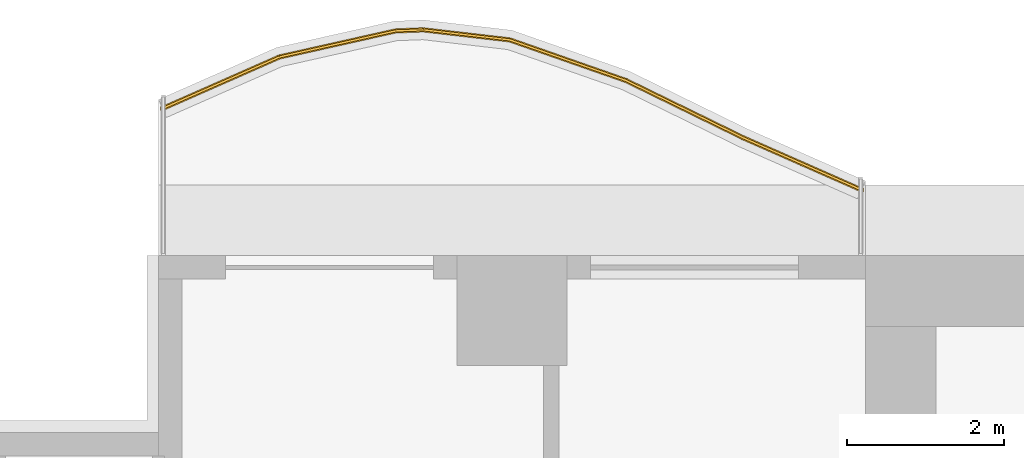
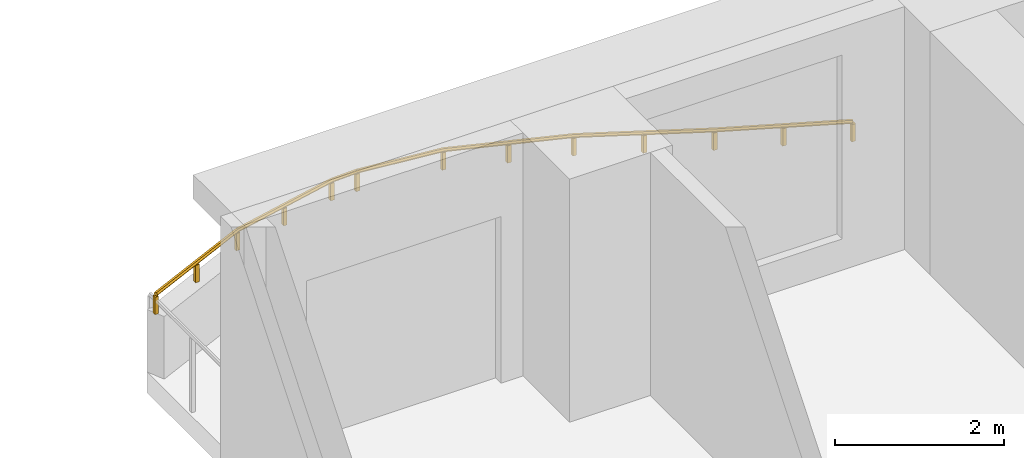
# One storey, part 13 of 14: 1 railing.
"""IFC4 building model written with IfcOpenShell, lengths in metres."""

from ifc_helpers import new_model, si_unit, direction, frame, origin, origin_2d, place, context, subcontext, project, spatial, polyline, rectangle, outline, extrude, material, type_object, element, save


model = new_model("IFC4")

# Units and contexts
model_context = context("Model", 3, precision=1e-05, world=origin(), true_north=direction((0.0, 1.0)))
body_context = subcontext(model_context, "Body", "Model", "MODEL_VIEW")
ifc_project = project(units=[si_unit("LENGTHUNIT", "METRE"), si_unit("AREAUNIT", "SQUARE_METRE"), si_unit("VOLUMEUNIT", "CUBIC_METRE"), si_unit("PLANEANGLEUNIT", "RADIAN"), si_unit("MASSUNIT", "GRAM", prefix="KILO")], contexts=[model_context])

# Site, building, storey
site_placement = place(None, origin())
site = spatial("IfcSite", under=ifc_project, at=site_placement, CompositionType="ELEMENT")
building_placement = place(site_placement, origin())
building = spatial("IfcBuilding", under=site, at=building_placement, Name="Orbiselva Terraces", CompositionType="ELEMENT")
storey_placement = place(building_placement, frame((0.0, 0.0, 41.6)))
storey = spatial("IfcBuildingStorey", under=building, at=storey_placement, Name="L10", CompositionType="ELEMENT", Elevation=41.6)

# Railing
ifc_material = material(Name="Bonded two-ply safety glass balustrade, stainless steel posts", Category="steel")
railing_type = type_object("IfcRailingType", Name="ENV-BALUSTRADE-1200", PredefinedType="BALUSTRADE", material=ifc_material)
railing_placement = place(storey_placement, frame((-13.550394, 23.33708, 0.9)))
element("IfcRailing", 1, at=railing_placement, inside=storey, type_object=railing_type, Name="Balcony balustrade L10 NW", PredefinedType="BALUSTRADE", context=body_context, shape_type="SweptSolid", body=[
    extrude(outline(polyline([(0.028868, 0.0), (0.014434, 0.025), (-0.014434, 0.025), (-0.028868, 0.0), (-0.014434, -0.025), (0.014434, -0.025), (0.028868, 0.0)])), frame((0.0, 0.0, 0.275), z_axis=(-0.915133394491, 0.403151175476, 0.0), x_axis=(-0.403151175476, -0.915133394491, 0.0)), (0.0, 0.0, 1.0), 1.641563),
    extrude(outline(polyline([(0.028868, 0.0), (0.014434, 0.025), (-0.014434, 0.025), (-0.028868, 0.0), (-0.014434, -0.025), (0.014434, -0.025), (0.028868, 0.0)])), frame((-1.502249, 0.661798, 0.275), z_axis=(-0.89857890432, 0.438811978768, 0.0), x_axis=(-0.438811978768, -0.89857890432, 0.0)), (0.0, 0.0, 1.0), 1.66438),
    extrude(outline(polyline([(0.028868, 0.0), (0.014434, 0.025), (-0.014434, 0.025), (-0.028868, 0.0), (-0.014434, -0.025), (0.014434, -0.025), (0.028868, 0.0)])), frame((-2.997826, 1.392148, 0.275), z_axis=(-0.943972277814, 0.330024754707, 0.0), x_axis=(-0.330024754707, -0.943972277814, 0.0)), (0.0, 0.0, 1.0), 1.567807),
    extrude(outline(polyline([(0.028868, 0.0), (0.014434, 0.025), (-0.014434, 0.025), (-0.028868, 0.0), (-0.014434, -0.025), (0.014434, -0.025), (0.028868, 0.0)])), frame((-4.477792, 1.909563, 0.275), z_axis=(-0.993309658409, 0.115481264762, 0.0), x_axis=(-0.115481264762, -0.993309658409, 0.0)), (0.0, 0.0, 1.0), 1.10902),
    extrude(outline(polyline([(0.028868, 0.0), (0.014434, 0.025), (-0.014434, 0.025), (-0.028868, 0.0), (-0.014434, -0.025), (0.014434, -0.025), (0.028868, 0.0)])), frame((-5.579392, 2.037634, 0.275), z_axis=(-0.999224931454, -0.039364150694, 0.0), x_axis=(0.039364150694, -0.999224931454, 0.0)), (0.0, 0.0, 1.0), 0.354206),
    extrude(outline(polyline([(0.028868, 0.0), (0.014434, 0.025), (-0.014434, 0.025), (-0.028868, 0.0), (-0.014434, -0.025), (0.014434, -0.025), (0.028868, 0.0)])), frame((-5.933323, 2.023691, 0.275), z_axis=(-0.975721325753, -0.219015740235, 0.0), x_axis=(0.219015740235, -0.975721325753, 0.0)), (0.0, 0.0, 1.0), 1.513782),
    extrude(outline(polyline([(0.028868, 0.0), (0.014434, 0.025), (-0.014434, 0.025), (-0.028868, 0.0), (-0.014434, -0.025), (0.014434, -0.025), (0.028868, 0.0)])), frame((-7.410352, 1.692149, 0.275), z_axis=(-0.915133311645, -0.403151363532, 0.0), x_axis=(0.403151363532, -0.915133311645, 0.0)), (0.0, 0.0, 1.0), 1.626932),
    extrude(rectangle(XDim=0.05, YDim=0.05, at=origin_2d()), origin(), (0.0, 0.0, 1.0), 0.25),
    extrude(rectangle(XDim=0.05, YDim=0.05, at=origin_2d()), frame((-0.751124, 0.330899, 0.0)), (0.0, 0.0, 1.0), 0.25),
    extrude(rectangle(XDim=0.05, YDim=0.05, at=origin_2d()), frame((-1.502249, 0.661798, 0.0)), (0.0, 0.0, 1.0), 0.25),
    extrude(rectangle(XDim=0.05, YDim=0.05, at=origin_2d()), frame((-2.250037, 1.026973, 0.0)), (0.0, 0.0, 1.0), 0.25),
    extrude(rectangle(XDim=0.05, YDim=0.05, at=origin_2d()), frame((-2.997826, 1.392148, 0.0)), (0.0, 0.0, 1.0), 0.25),
    extrude(rectangle(XDim=0.05, YDim=0.05, at=origin_2d()), frame((-3.737809, 1.650855, 0.0)), (0.0, 0.0, 1.0), 0.25),
    extrude(rectangle(XDim=0.05, YDim=0.05, at=origin_2d()), frame((-4.477792, 1.909563, 0.0)), (0.0, 0.0, 1.0), 0.25),
    extrude(rectangle(XDim=0.05, YDim=0.05, at=origin_2d()), frame((-5.579392, 2.037634, 0.0)), (0.0, 0.0, 1.0), 0.25),
    extrude(rectangle(XDim=0.05, YDim=0.05, at=origin_2d()), frame((-5.933323, 2.023691, 0.0)), (0.0, 0.0, 1.0), 0.25),
    extrude(rectangle(XDim=0.05, YDim=0.05, at=origin_2d()), frame((-6.671837, 1.85792, 0.0)), (0.0, 0.0, 1.0), 0.25),
    extrude(rectangle(XDim=0.05, YDim=0.05, at=origin_2d()), frame((-7.410352, 1.692149, 0.0)), (0.0, 0.0, 1.0), 0.25),
    extrude(rectangle(XDim=0.05, YDim=0.05, at=origin_2d()), frame((-8.154782, 1.364199, 0.0)), (0.0, 0.0, 1.0), 0.25),
    extrude(rectangle(XDim=0.05, YDim=0.05, at=origin_2d()), frame((-8.899212, 1.036249, 0.0)), (0.0, 0.0, 1.0), 0.25),
])

save(model, "model.ifc")
